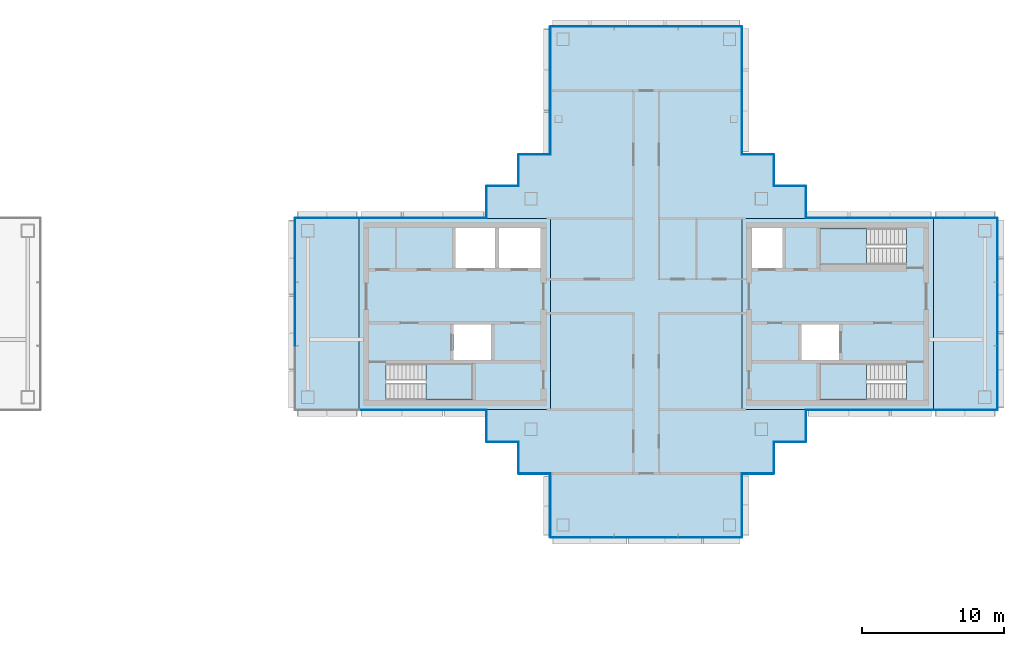
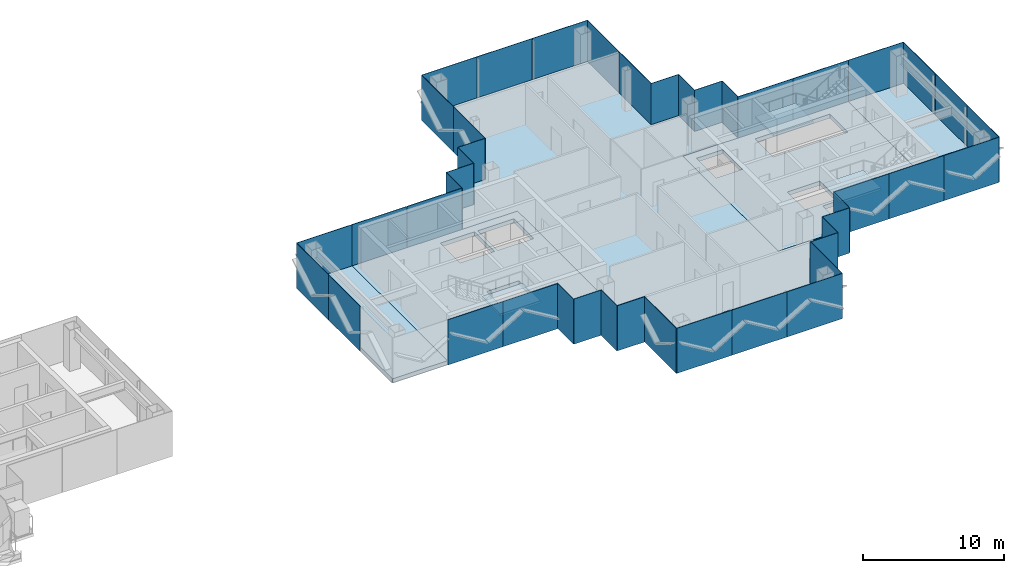
# One storey, part 8 of 17: 44 plates, 8 slabs, 22 elements without a shape of their own.
"""IFC4 building model written with IfcOpenShell, lengths in metres."""

import ifcopenshell
import ifcopenshell.guid

model = None  # the IFC model being written
_history = None  # IfcOwnerHistory: only IFC2X3 demands one
_inside = {}  # id of a spatial element -> (the spatial element, [elements in it])
_under = {}  # id of a project, library or spatial element -> (it, [spatial elements below it])
_declared = {}  # id of a project -> (the project, [libraries it declares])
_typed = {}  # id of a type object -> (the type object, [elements of that type])
_made_of = {}  # id of a material, layer set ... -> (it, [elements and type objects made of it])


def new_model(schema):
    """Start an empty IFC model of exactly this schema.

    Asked for "IFC4X3", IfcOpenShell would pick the latest addendum, in which some entities
    have other attributes; the version numbers below select the first issue.
    IFC2X3 requires an IfcOwnerHistory on every rooted entity: one is made here for all.
    """
    global model, _history
    if schema == "IFC4X3":
        model = ifcopenshell.file(schema_version=(4, 3, 0, 0))
    else:
        model = ifcopenshell.file(schema=schema)
    _inside.clear()
    _under.clear()
    _declared.clear()
    _typed.clear()
    _made_of.clear()
    _history = None
    if model.schema == "IFC2X3":
        org = make("IfcOrganization", Name="unknown")
        user = make(
            "IfcPersonAndOrganization",
            ThePerson=make("IfcPerson", FamilyName="unknown"),
            TheOrganization=org,
        )
        app = make(
            "IfcApplication",
            ApplicationDeveloper=org,
            Version="unknown",
            ApplicationFullName="unknown",
            ApplicationIdentifier="unknown",
        )
        _history = make(
            "IfcOwnerHistory",
            OwningUser=user,
            OwningApplication=app,
            ChangeAction="ADDED",
            CreationDate=0,
        )
    return model


def make(cls, **values):
    """One entity of the class cls with the attributes given. An attribute that is None is left unset."""
    return model.create_entity(
        cls, **{name: value for name, value in values.items() if value is not None}
    )


def rooted(cls, **values):
    """An entity with a GlobalId (a new one), such as an element, a storey or a relation."""
    return make(cls, GlobalId=ifcopenshell.guid.new(), OwnerHistory=_history, **values)


def si_unit(unit_type, name, prefix=None):
    """IfcSIUnit, for example si_unit("LENGTHUNIT", "METRE", prefix="MILLI")."""
    return make("IfcSIUnit", UnitType=unit_type, Prefix=prefix, Name=name)


def assignment(units):
    """IfcUnitAssignment: the units of a project."""
    return None if units is None else make("IfcUnitAssignment", Units=units)


def point(xyz):
    """IfcCartesianPoint."""
    return None if xyz is None else make("IfcCartesianPoint", Coordinates=xyz)


def direction(xyz):
    """IfcDirection."""
    return None if xyz is None else make("IfcDirection", DirectionRatios=xyz)


def frame(location, z_axis=None, x_axis=None):
    """IfcAxis2Placement3D, a coordinate frame: its origin and axes. An axis left out is left unset."""
    return make(
        "IfcAxis2Placement3D",
        Location=point(location),
        Axis=direction(z_axis),
        RefDirection=direction(x_axis),
    )


def frame_2d(location, x_axis=None):
    """IfcAxis2Placement2D, a coordinate frame in the plane: its origin and x axis."""
    return make(
        "IfcAxis2Placement2D", Location=point(location), RefDirection=direction(x_axis)
    )


def origin():
    """The frame at (0, 0, 0) with its axes left unset."""
    return frame((0.0, 0.0, 0.0))


def origin_2d():
    """The frame at (0, 0) in the plane with its x axis left unset."""
    return frame_2d((0.0, 0.0))


def place(relative_to, where):
    """IfcLocalPlacement: puts the frame where relative to a parent placement (None: the world)."""
    return make(
        "IfcLocalPlacement", PlacementRelTo=relative_to, RelativePlacement=where
    )


def context(
    kind, dimensions, precision=None, world=None, true_north=None, identifier=None
):
    """IfcGeometricRepresentationContext, for example the 3D "Model" context."""
    return make(
        "IfcGeometricRepresentationContext",
        ContextIdentifier=identifier,
        ContextType=kind,
        CoordinateSpaceDimension=dimensions,
        Precision=precision,
        WorldCoordinateSystem=world,
        TrueNorth=true_north,
    )


def subcontext(parent, identifier, kind, view, scale=None):
    """IfcGeometricRepresentationSubContext, for example "Body" below "Model"."""
    return make(
        "IfcGeometricRepresentationSubContext",
        ContextIdentifier=identifier,
        ContextType=kind,
        ParentContext=parent,
        TargetScale=scale,
        TargetView=view,
    )


def project(units=None, contexts=None):
    """IfcProject with its units and contexts."""
    return rooted(
        "IfcProject",
        Name="project",
        RepresentationContexts=contexts,
        UnitsInContext=assignment(units),
    )


def spatial(cls, under=None, at=None, **own):
    """A site, building, storey or space (cls), placed at a placement, below another one or the project."""
    s = rooted(cls, ObjectPlacement=at, **own)
    if under is not None:
        _under.setdefault(under.id(), (under, []))[1].append(s)
    return s


def polyline(points):
    """IfcPolyline through the points."""
    return make("IfcPolyline", Points=[point(p) for p in points])


def profile(cls, at=None, kind="AREA", **sizes):
    """A parametric profile (cls). Its sizes go by their IFC names, for example OverallWidth=200.0."""
    return make(cls, ProfileType=kind, Position=at, **sizes)


def rectangle(**sizes):
    """IfcRectangleProfileDef."""
    return profile("IfcRectangleProfileDef", **sizes)


def outline(outer, holes=None, kind="AREA"):
    """IfcArbitraryClosedProfileDef: a profile drawn as a closed curve; with holes, ...WithVoids."""
    if holes is None:
        return make("IfcArbitraryClosedProfileDef", ProfileType=kind, OuterCurve=outer)
    return make(
        "IfcArbitraryProfileDefWithVoids",
        ProfileType=kind,
        OuterCurve=outer,
        InnerCurves=holes,
    )


def extrude(swept, where, along, depth):
    """IfcExtrudedAreaSolid: the profile swept, set in the frame where, extruded along a direction by depth."""
    return make(
        "IfcExtrudedAreaSolid",
        SweptArea=swept,
        Position=where,
        ExtrudedDirection=direction(along),
        Depth=depth,
    )


def shape(context_of_items, identifier, shape_type, items):
    """IfcShapeRepresentation: the items that make up one representation, for example the "Body"."""
    return make(
        "IfcShapeRepresentation",
        ContextOfItems=context_of_items,
        RepresentationIdentifier=identifier,
        RepresentationType=shape_type,
        Items=items,
    )


def material(Name=None, Category=None):
    """IfcMaterial."""
    return make("IfcMaterial", Name=Name, Category=Category)


def layer(
    of_material, thickness, ventilated=None, Name=None, Category=None, Priority=None
):
    """IfcMaterialLayer: one layer of a wall or slab, of a material (None: an air gap)."""
    return make(
        "IfcMaterialLayer",
        Material=of_material,
        LayerThickness=thickness,
        IsVentilated=ventilated,
        Name=Name,
        Category=Category,
        Priority=Priority,
    )


def layer_set(layers, Name=None):
    """IfcMaterialLayerSet."""
    return make("IfcMaterialLayerSet", MaterialLayers=layers, LayerSetName=Name)


def made_of(thing, what):
    """Note that an element or type object is made of a material, layer set ...; save() writes the relation."""
    if what is not None:
        _made_of.setdefault(what.id(), (what, []))[1].append(thing)
    return thing


def type_object(cls, material=None, **own):
    """A type object (cls), such as IfcWallType, which elements share."""
    return made_of(rooted(cls, **own), material)


def element(
    cls,
    number,
    at=None,
    inside=None,
    cuts=None,
    type_object=None,
    material=None,
    context=None,
    identifier="Body",
    shape_type=None,
    held_by="IfcProductDefinitionShape",
    body=None,
    shapes=None,
    **own,
):
    """One element of the class cls, such as IfcWall. Its Tag is "e" and its number.

    at: its placement. inside: the storey or other place that contains it. cuts: it is an
    opening in that element (IfcRelVoidsElement). A single representation is given by context,
    identifier, shape_type and body (its items); several are given by shapes. held_by: the class
    of the entity that holds the representations. save() writes the other relations.
    """
    e = rooted(cls, Tag="e%d" % number, ObjectPlacement=at, **own)
    if body is not None:
        shapes = [shape(context, identifier, shape_type, body)]
    if shapes is not None:
        e.Representation = make(held_by, Representations=shapes)
    if inside is not None:
        _inside.setdefault(inside.id(), (inside, []))[1].append(e)
    if cuts is not None:
        rooted(
            "IfcRelVoidsElement", RelatingBuildingElement=cuts, RelatedOpeningElement=e
        )
    if type_object is not None:
        _typed.setdefault(type_object.id(), (type_object, []))[1].append(e)
    return made_of(e, material)


def aggregate(whole, parts):
    """IfcRelAggregates: a whole, such as a stair, and the parts it consists of."""
    return rooted("IfcRelAggregates", RelatingObject=whole, RelatedObjects=parts)


def save(model, path):
    """Write the relations noted so far, then the file.

    IfcRelAggregates (storeys below a building ...), IfcRelContainedInSpatialStructure (elements
    in a storey), IfcRelDefinesByType, IfcRelAssociatesMaterial and IfcRelDeclares: one each for
    every whole, place, type object, material and project.
    """
    for whole, parts in _under.values():
        aggregate(whole, parts)
    for where, things in _inside.values():
        rooted(
            "IfcRelContainedInSpatialStructure",
            RelatedElements=things,
            RelatingStructure=where,
        )
    for kind, things in _typed.values():
        rooted("IfcRelDefinesByType", RelatedObjects=things, RelatingType=kind)
    for what, things in _made_of.values():
        rooted("IfcRelAssociatesMaterial", RelatedObjects=things, RelatingMaterial=what)
    for by, libraries in _declared.values():
        rooted("IfcRelDeclares", RelatingContext=by, RelatedDefinitions=libraries)
    model.write(path)


model = new_model("IFC4")

# Units and contexts
model_context = context("Model", 3, precision=1e-05, world=origin(), true_north=direction((0.0, 1.0)))
body_context = subcontext(model_context, "Body", "Model", "MODEL_VIEW")
ifc_project = project(units=[si_unit("LENGTHUNIT", "METRE"), si_unit("AREAUNIT", "SQUARE_METRE"), si_unit("VOLUMEUNIT", "CUBIC_METRE"), si_unit("PLANEANGLEUNIT", "RADIAN"), si_unit("MASSUNIT", "GRAM", prefix="KILO")], contexts=[model_context])

# Site, building, storey
site_placement = place(None, origin())
site = spatial("IfcSite", under=ifc_project, at=site_placement, CompositionType="ELEMENT")
building_placement = place(site_placement, origin())
building = spatial("IfcBuilding", under=site, at=building_placement, Name="Shamsa Quay Exchange Towers", CompositionType="ELEMENT")
storey_placement = place(building_placement, frame((0.0, 0.0, 249.89990234375)))
storey = spatial("IfcBuildingStorey", under=building, at=storey_placement, Name="L60", CompositionType="ELEMENT", Elevation=249.89990234375)

# Slabs
ifc_material_1 = material(Name="Concrete C50/60", Category="concrete")
ifc_layer_1 = layer(ifc_material_1, 0.35009765625)
ifc_layer_set_1 = layer_set([ifc_layer_1], Name="CORE FLOOR 350 C50/60")
slab_type_1 = type_object("IfcSlabType", Name="CORE FLOOR 350 C50/60", PredefinedType="FLOOR", material=ifc_layer_set_1)
slab_1_placement = place(storey_placement, frame((0.0, 0.0, -0.349853515625)))
element("IfcSlab", 1, at=slab_1_placement, inside=storey, type_object=slab_type_1, Name="Core floor T2A", PredefinedType="FLOOR", context=body_context, shape_type="SweptSolid", body=[
    extrude(outline(polyline([(13.5, -6.75), (27.0, -6.75), (27.0, 6.75), (13.5, 6.75), (13.5, -6.75)]), holes=[polyline([(15.400634765625, -6.050048828125), (15.400634765625, -3.5), (21.5, -3.5), (21.5, -6.050048828125), (15.400634765625, -6.050048828125)]), polyline([(20.300048828125, 3.25), (20.300048828125, 6.050048828125), (23.10009765625, 6.050048828125), (23.10009765625, 3.25), (20.300048828125, 3.25)]), polyline([(23.35009765625, 3.25), (23.35009765625, 6.050048828125), (26.300048828125, 6.050048828125), (26.300048828125, 3.25), (23.35009765625, 3.25)]), polyline([(20.14990234375, -3.25), (20.14990234375, -0.75), (22.800048828125, -0.75), (22.800048828125, -3.25), (20.14990234375, -3.25)])]), origin(), (0.0, 0.0, 1.0), 0.349853515625),
])
slab_2_placement = place(storey_placement, frame((0.0, 0.0, -0.349853515625)))
element("IfcSlab", 2, at=slab_2_placement, inside=storey, type_object=slab_type_1, Name="Core floor T2B", PredefinedType="FLOOR", context=body_context, shape_type="SweptSolid", body=[
    extrude(outline(polyline([(54.0, -6.75), (54.0, 6.75), (40.5, 6.75), (40.5, -6.75), (54.0, -6.75)]), holes=[polyline([(52.099365234375, -3.5), (52.099365234375, -6.050048828125), (46.0, -6.050048828125), (46.0, -3.5), (52.099365234375, -3.5)]), polyline([(52.099365234375, 6.050048828125), (52.099365234375, 3.5), (46.0, 3.5), (46.0, 6.050048828125), (52.099365234375, 6.050048828125)]), polyline([(43.35009765625, 3.25), (41.199951171875, 3.25), (41.199951171875, 6.050048828125), (43.35009765625, 6.050048828125), (43.35009765625, 3.25)]), polyline([(47.35009765625, -3.25), (44.699951171875, -3.25), (44.699951171875, -0.75), (47.35009765625, -0.75), (47.35009765625, -3.25)])]), origin(), (0.0, 0.0, 1.0), 0.349853515625),
])

# Stair, slab
ifc_material_2 = material(Name="Concrete C40/50", Category="concrete")
stair_type = type_object("IfcStairType", Name="EXIT STAIR 22 RISERS 177 MM", PredefinedType="HALF_TURN_STAIR", material=ifc_material_2)
stair_1_placement = place(storey_placement, origin())
stair_1 = element("IfcStair", 3, at=stair_1_placement, inside=storey, type_object=stair_type, Name="L60 Exit stair ST4", PredefinedType="HALF_TURN_STAIR")
ifc_layer_2 = layer(ifc_material_2, 0.199951171875)
ifc_layer_set_2 = layer_set([ifc_layer_2], Name="CORE STAIR LANDING")
slab_type_2 = type_object("IfcSlabType", Name="CORE STAIR LANDING", PredefinedType="LANDING", material=ifc_layer_set_2)
slab_3_placement = place(storey_placement, frame((0.0, 0.0, 1.75)))
slab_3 = element("IfcSlab", 4, at=slab_3_placement, type_object=slab_type_2, Name="ST4 landing 1", PredefinedType="LANDING", context=body_context, shape_type="SweptSolid", body=[
    extrude(outline(polyline([(18.199951171875, -6.050048828125), (21.5, -6.050048828125), (21.5, -3.5), (18.199951171875, -3.5), (18.199951171875, -6.050048828125)])), origin(), (0.0, 0.0, 1.0), 0.2001953125),
])
aggregate(stair_1, [slab_3])

stair_2_placement = place(storey_placement, origin())
stair_2 = element("IfcStair", 5, at=stair_2_placement, inside=storey, type_object=stair_type, Name="L60 Exit stair ST5", PredefinedType="HALF_TURN_STAIR")
slab_4_placement = place(storey_placement, frame((0.0, 0.0, 1.75)))
slab_4 = element("IfcSlab", 6, at=slab_4_placement, type_object=slab_type_2, Name="ST5 landing 1", PredefinedType="LANDING", context=body_context, shape_type="SweptSolid", body=[
    extrude(outline(polyline([(49.300048828125, -3.5), (46.0, -3.5), (46.0, -6.050048828125), (49.300048828125, -6.050048828125), (49.300048828125, -3.5)])), origin(), (0.0, 0.0, 1.0), 0.2001953125),
])
aggregate(stair_2, [slab_4])

stair_3_placement = place(storey_placement, origin())
stair_3 = element("IfcStair", 7, at=stair_3_placement, inside=storey, type_object=stair_type, Name="L60 Exit stair ST6", PredefinedType="HALF_TURN_STAIR")
slab_5_placement = place(storey_placement, frame((0.0, 0.0, 1.75)))
slab_5 = element("IfcSlab", 8, at=slab_5_placement, type_object=slab_type_2, Name="ST6 landing 1", PredefinedType="LANDING", context=body_context, shape_type="SweptSolid", body=[
    extrude(outline(polyline([(49.300048828125, 6.050048828125), (46.0, 6.050048828125), (46.0, 3.5), (49.300048828125, 3.5), (49.300048828125, 6.050048828125)])), origin(), (0.0, 0.0, 1.0), 0.2001953125),
])
aggregate(stair_3, [slab_5])

# Curtain wall, plate
ifc_material_3 = material(Name="Aluminium EN AW-6063 T6, black anodised", Category="aluminium")
ifc_layer_3 = layer(ifc_material_3, 0.280029296875)
ifc_layer_set_3 = layer_set([ifc_layer_3], Name="CW-1 UNITISED VISION GLASS")
curtain_wall_type_1 = type_object("IfcCurtainWallType", Name="CW-1 UNITISED VISION GLASS", PredefinedType="NOTDEFINED", material=ifc_layer_set_3)
curtain_wall_1_placement = place(storey_placement, origin())
curtain_wall_1 = element("IfcCurtainWall", 9, at=curtain_wall_1_placement, inside=storey, type_object=curtain_wall_type_1, Name="CW1 T2-FLK-V-W L60", PredefinedType="NOTDEFINED")
ifc_material_4 = material(Name="Glass, laminated, dark tinted", Category="glass")
ifc_layer_4 = layer(ifc_material_4, 0.0400390625)
ifc_layer_set_4 = layer_set([ifc_layer_4], Name="CW-1 VISION GLASS 40")
plate_type_1 = type_object("IfcPlateType", Name="CW-1 VISION GLASS 40", PredefinedType="CURTAIN_PANEL", material=ifc_layer_set_4)
plate_1_placement = place(storey_placement, frame((56.25, -6.77001953125, -0.349853515625)))
plate_1 = element("IfcPlate", 10, at=plate_1_placement, type_object=plate_type_1, Name="CW1 glass panel", PredefinedType="CURTAIN_PANEL", context=body_context, shape_type="SweptSolid", body=[
    extrude(rectangle(XDim=4.5, YDim=0.0400390625, at=origin_2d()), origin(), (0.0, 0.0, 1.0), 3.89990234375),
])
aggregate(curtain_wall_1, [plate_1])

# Curtain wall, plates
curtain_wall_2_placement = place(storey_placement, origin())
curtain_wall_2 = element("IfcCurtainWall", 11, at=curtain_wall_2_placement, inside=storey, type_object=curtain_wall_type_1, Name="CW1 T2-END-V- L60", PredefinedType="NOTDEFINED")
plate_2_placement = place(storey_placement, frame((58.52001953125, -4.50244140625, -0.349853515625), z_axis=(0.0, 0.0, 1.0), x_axis=(0.0, 1.0, 0.0)))
plate_2 = element("IfcPlate", 12, at=plate_2_placement, type_object=plate_type_1, Name="CW1 glass panel", PredefinedType="CURTAIN_PANEL", context=body_context, shape_type="SweptSolid", body=[
    extrude(rectangle(XDim=4.4951171875, YDim=0.0400390625, at=origin_2d()), origin(), (0.0, 0.0, 1.0), 3.89990234375),
])
plate_3_placement = place(storey_placement, frame((58.52001953125, 0.0, -0.349853515625), z_axis=(0.0, 0.0, 1.0), x_axis=(0.0, 1.0, 0.0)))
plate_3 = element("IfcPlate", 13, at=plate_3_placement, type_object=plate_type_1, Name="CW1 glass panel", PredefinedType="CURTAIN_PANEL", context=body_context, shape_type="SweptSolid", body=[
    extrude(rectangle(XDim=4.489990234375, YDim=0.0400390625, at=origin_2d()), origin(), (0.0, 0.0, 1.0), 3.89990234375),
])
plate_4_placement = place(storey_placement, frame((58.52001953125, 4.50244140625, -0.349853515625), z_axis=(0.0, 0.0, 1.0), x_axis=(0.0, 1.0, 0.0)))
plate_4 = element("IfcPlate", 14, at=plate_4_placement, type_object=plate_type_1, Name="CW1 glass panel", PredefinedType="CURTAIN_PANEL", context=body_context, shape_type="SweptSolid", body=[
    extrude(rectangle(XDim=4.4951171875, YDim=0.0400390625, at=origin_2d()), origin(), (0.0, 0.0, 1.0), 3.89990234375),
])
aggregate(curtain_wall_2, [plate_2, plate_3, plate_4])

# Curtain wall, plate
curtain_wall_3_placement = place(storey_placement, origin())
curtain_wall_3 = element("IfcCurtainWall", 15, at=curtain_wall_3_placement, inside=storey, type_object=curtain_wall_type_1, Name="CW1 T2-FLK-V-E L60", PredefinedType="NOTDEFINED")
plate_5_placement = place(storey_placement, frame((56.25, 6.77001953125, -0.349853515625), z_axis=(0.0, 0.0, 1.0), x_axis=(-1.0, 0.0, 0.0)))
plate_5 = element("IfcPlate", 16, at=plate_5_placement, type_object=plate_type_1, Name="CW1 glass panel", PredefinedType="CURTAIN_PANEL", context=body_context, shape_type="SweptSolid", body=[
    extrude(rectangle(XDim=4.5, YDim=0.0400390625, at=origin_2d()), origin(), (0.0, 0.0, 1.0), 3.89990234375),
])
aggregate(curtain_wall_3, [plate_5])

# Curtain wall, plates
curtain_wall_4_placement = place(storey_placement, origin())
curtain_wall_4 = element("IfcCurtainWall", 17, at=curtain_wall_4_placement, inside=storey, type_object=curtain_wall_type_1, Name="CW1 T2-FLK-U+S L60", PredefinedType="NOTDEFINED")
plate_6_placement = place(storey_placement, frame((40.52001953125, 13.52587890625, -0.349853515625), z_axis=(0.0, 0.0, 1.0), x_axis=(0.0, 1.0, 0.0)))
plate_6 = element("IfcPlate", 18, at=plate_6_placement, type_object=plate_type_1, Name="CW1 glass panel", PredefinedType="CURTAIN_PANEL", context=body_context, shape_type="SweptSolid", body=[
    extrude(rectangle(XDim=4.47607421875, YDim=0.0400390625, at=origin_2d()), origin(), (0.0, 0.0, 1.0), 3.89990234375),
])
plate_7_placement = place(storey_placement, frame((40.52001953125, 18.011962890625, -0.349853515625), z_axis=(0.0, 0.0, 1.0), x_axis=(0.0, 1.0, 0.0)))
plate_7 = element("IfcPlate", 19, at=plate_7_placement, type_object=plate_type_1, Name="CW1 glass panel", PredefinedType="CURTAIN_PANEL", context=body_context, shape_type="SweptSolid", body=[
    extrude(rectangle(XDim=4.47607421875, YDim=0.0400390625, at=origin_2d()), origin(), (0.0, 0.0, 1.0), 3.89990234375),
])
aggregate(curtain_wall_4, [plate_6, plate_7])

curtain_wall_5_placement = place(storey_placement, origin())
curtain_wall_5 = element("IfcCurtainWall", 20, at=curtain_wall_5_placement, inside=storey, type_object=curtain_wall_type_1, Name="CW1 T2-END-U+ L60", PredefinedType="NOTDEFINED")
plate_8_placement = place(storey_placement, frame((38.25244140625, 20.27001953125, -0.349853515625), z_axis=(0.0, 0.0, 1.0), x_axis=(-1.0, 0.0, 0.0)))
plate_8 = element("IfcPlate", 21, at=plate_8_placement, type_object=plate_type_1, Name="CW1 glass panel", PredefinedType="CURTAIN_PANEL", context=body_context, shape_type="SweptSolid", body=[
    extrude(rectangle(XDim=4.4951171875, YDim=0.0400390625, at=origin_2d()), origin(), (0.0, 0.0, 1.0), 3.89990234375),
])
plate_9_placement = place(storey_placement, frame((33.75, 20.27001953125, -0.349853515625), z_axis=(0.0, 0.0, 1.0), x_axis=(-1.0, 0.0, 0.0)))
plate_9 = element("IfcPlate", 22, at=plate_9_placement, type_object=plate_type_1, Name="CW1 glass panel", PredefinedType="CURTAIN_PANEL", context=body_context, shape_type="SweptSolid", body=[
    extrude(rectangle(XDim=4.489990234375, YDim=0.0400390625, at=origin_2d()), origin(), (0.0, 0.0, 1.0), 3.89990234375),
])
plate_10_placement = place(storey_placement, frame((29.24755859375, 20.27001953125, -0.349853515625), z_axis=(0.0, 0.0, 1.0), x_axis=(-1.0, 0.0, 0.0)))
plate_10 = element("IfcPlate", 23, at=plate_10_placement, type_object=plate_type_1, Name="CW1 glass panel", PredefinedType="CURTAIN_PANEL", context=body_context, shape_type="SweptSolid", body=[
    extrude(rectangle(XDim=4.4951171875, YDim=0.0400390625, at=origin_2d()), origin(), (0.0, 0.0, 1.0), 3.89990234375),
])
aggregate(curtain_wall_5, [plate_8, plate_9, plate_10])

curtain_wall_6_placement = place(storey_placement, origin())
curtain_wall_6 = element("IfcCurtainWall", 24, at=curtain_wall_6_placement, inside=storey, type_object=curtain_wall_type_1, Name="CW1 T2-FLK-U+N L60", PredefinedType="NOTDEFINED")
plate_11_placement = place(storey_placement, frame((26.97998046875, 18.00244140625, -0.349853515625), z_axis=(0.0, 0.0, 1.0), x_axis=(0.0, -1.0, 0.0)))
plate_11 = element("IfcPlate", 25, at=plate_11_placement, type_object=plate_type_1, Name="CW1 glass panel", PredefinedType="CURTAIN_PANEL", context=body_context, shape_type="SweptSolid", body=[
    extrude(rectangle(XDim=4.4951171875, YDim=0.0400390625, at=origin_2d()), origin(), (0.0, 0.0, 1.0), 3.89990234375),
])
plate_12_placement = place(storey_placement, frame((26.97998046875, 13.49755859375, -0.349853515625), z_axis=(0.0, 0.0, 1.0), x_axis=(0.0, -1.0, 0.0)))
plate_12 = element("IfcPlate", 26, at=plate_12_placement, type_object=plate_type_1, Name="CW1 glass panel", PredefinedType="CURTAIN_PANEL", context=body_context, shape_type="SweptSolid", body=[
    extrude(rectangle(XDim=4.4951171875, YDim=0.0400390625, at=origin_2d()), origin(), (0.0, 0.0, 1.0), 3.89990234375),
])
aggregate(curtain_wall_6, [plate_11, plate_12])

# Curtain wall, plate
curtain_wall_7_placement = place(storey_placement, origin())
curtain_wall_7 = element("IfcCurtainWall", 27, at=curtain_wall_7_placement, inside=storey, type_object=curtain_wall_type_1, Name="CW1 T2-FLK-V+E L60", PredefinedType="NOTDEFINED")
plate_13_placement = place(storey_placement, frame((11.25, 6.77001953125, -0.349853515625), z_axis=(0.0, 0.0, 1.0), x_axis=(-1.0, 0.0, 0.0)))
plate_13 = element("IfcPlate", 28, at=plate_13_placement, type_object=plate_type_1, Name="CW1 glass panel", PredefinedType="CURTAIN_PANEL", context=body_context, shape_type="SweptSolid", body=[
    extrude(rectangle(XDim=4.5, YDim=0.0400390625, at=origin_2d()), origin(), (0.0, 0.0, 1.0), 3.89990234375),
])
aggregate(curtain_wall_7, [plate_13])

# Curtain wall, plates
curtain_wall_8_placement = place(storey_placement, origin())
curtain_wall_8 = element("IfcCurtainWall", 29, at=curtain_wall_8_placement, inside=storey, type_object=curtain_wall_type_1, Name="CW1 T2-END-V+ L60", PredefinedType="NOTDEFINED")
plate_14_placement = place(storey_placement, frame((8.97998046875, 4.50244140625, -0.349853515625), z_axis=(0.0, 0.0, 1.0), x_axis=(0.0, -1.0, 0.0)))
plate_14 = element("IfcPlate", 30, at=plate_14_placement, type_object=plate_type_1, Name="CW1 glass panel", PredefinedType="CURTAIN_PANEL", context=body_context, shape_type="SweptSolid", body=[
    extrude(rectangle(XDim=4.4951171875, YDim=0.0400390625, at=origin_2d()), origin(), (0.0, 0.0, 1.0), 3.89990234375),
])
plate_15_placement = place(storey_placement, frame((8.97998046875, 0.0, -0.349853515625), z_axis=(0.0, 0.0, 1.0), x_axis=(0.0, -1.0, 0.0)))
plate_15 = element("IfcPlate", 31, at=plate_15_placement, type_object=plate_type_1, Name="CW1 glass panel", PredefinedType="CURTAIN_PANEL", context=body_context, shape_type="SweptSolid", body=[
    extrude(rectangle(XDim=4.489990234375, YDim=0.0400390625, at=origin_2d()), origin(), (0.0, 0.0, 1.0), 3.89990234375),
])
aggregate(curtain_wall_8, [plate_14, plate_15])

# Curtain wall, plate
curtain_wall_9_placement = place(storey_placement, origin())
curtain_wall_9 = element("IfcCurtainWall", 32, at=curtain_wall_9_placement, inside=storey, type_object=curtain_wall_type_1, Name="CW1 T2-FLK-U-N L60", PredefinedType="NOTDEFINED")
plate_16_placement = place(storey_placement, frame((26.97998046875, -13.51904296875, -0.349853515625), z_axis=(0.0, 0.0, 1.0), x_axis=(0.0, -1.0, 0.0)))
plate_16 = element("IfcPlate", 33, at=plate_16_placement, type_object=plate_type_1, Name="CW1 glass panel", PredefinedType="CURTAIN_PANEL", context=body_context, shape_type="SweptSolid", body=[
    extrude(rectangle(XDim=4.4619140625, YDim=0.0400390625, at=origin_2d()), origin(), (0.0, 0.0, 1.0), 3.89990234375),
])
aggregate(curtain_wall_9, [plate_16])

# Curtain wall, plates
curtain_wall_10_placement = place(storey_placement, origin())
curtain_wall_10 = element("IfcCurtainWall", 34, at=curtain_wall_10_placement, inside=storey, type_object=curtain_wall_type_1, Name="CW1 T2-END-U- L60", PredefinedType="NOTDEFINED")
plate_17_placement = place(storey_placement, frame((29.24755859375, -15.77001953125, -0.349853515625)))
plate_17 = element("IfcPlate", 35, at=plate_17_placement, type_object=plate_type_1, Name="CW1 glass panel", PredefinedType="CURTAIN_PANEL", context=body_context, shape_type="SweptSolid", body=[
    extrude(rectangle(XDim=4.4951171875, YDim=0.0400390625, at=origin_2d()), origin(), (0.0, 0.0, 1.0), 3.89990234375),
])
plate_18_placement = place(storey_placement, frame((33.75, -15.77001953125, -0.349853515625)))
plate_18 = element("IfcPlate", 36, at=plate_18_placement, type_object=plate_type_1, Name="CW1 glass panel", PredefinedType="CURTAIN_PANEL", context=body_context, shape_type="SweptSolid", body=[
    extrude(rectangle(XDim=4.489990234375, YDim=0.0400390625, at=origin_2d()), origin(), (0.0, 0.0, 1.0), 3.89990234375),
])
plate_19_placement = place(storey_placement, frame((38.25244140625, -15.77001953125, -0.349853515625)))
plate_19 = element("IfcPlate", 37, at=plate_19_placement, type_object=plate_type_1, Name="CW1 glass panel", PredefinedType="CURTAIN_PANEL", context=body_context, shape_type="SweptSolid", body=[
    extrude(rectangle(XDim=4.4951171875, YDim=0.0400390625, at=origin_2d()), origin(), (0.0, 0.0, 1.0), 3.89990234375),
])
aggregate(curtain_wall_10, [plate_17, plate_18, plate_19])

# Curtain wall, plate
curtain_wall_11_placement = place(storey_placement, origin())
curtain_wall_11 = element("IfcCurtainWall", 38, at=curtain_wall_11_placement, inside=storey, type_object=curtain_wall_type_1, Name="CW1 T2-FLK-U-S L60", PredefinedType="NOTDEFINED")
plate_20_placement = place(storey_placement, frame((40.52001953125, -13.5, -0.349853515625), z_axis=(0.0, 0.0, 1.0), x_axis=(0.0, 1.0, 0.0)))
plate_20 = element("IfcPlate", 39, at=plate_20_placement, type_object=plate_type_1, Name="CW1 glass panel", PredefinedType="CURTAIN_PANEL", context=body_context, shape_type="SweptSolid", body=[
    extrude(rectangle(XDim=4.5, YDim=0.0400390625, at=origin_2d()), origin(), (0.0, 0.0, 1.0), 3.89990234375),
])
aggregate(curtain_wall_11, [plate_20])

# Curtain wall, plates
ifc_layer_5 = layer(ifc_material_3, 0.303955078125)
ifc_layer_set_5 = layer_set([ifc_layer_5], Name="CW-2 UNITISED OPAQUE SPANDREL GLASS")
curtain_wall_type_2 = type_object("IfcCurtainWallType", Name="CW-2 UNITISED OPAQUE SPANDREL GLASS", PredefinedType="NOTDEFINED", material=ifc_layer_set_5)
curtain_wall_12_placement = place(storey_placement, origin())
curtain_wall_12 = element("IfcCurtainWall", 40, at=curtain_wall_12_placement, inside=storey, type_object=curtain_wall_type_2, Name="CW2 T2-FLK-V-W L60", PredefinedType="NOTDEFINED")
ifc_material_5 = material(Name="Glass, laminated, black enamelled opaque", Category="glass")
ifc_layer_6 = layer(ifc_material_5, 0.0439453125)
ifc_layer_set_6 = layer_set([ifc_layer_6], Name="CW-2 SPANDREL GLASS 44")
plate_type_2 = type_object("IfcPlateType", Name="CW-2 SPANDREL GLASS 44", PredefinedType="CURTAIN_PANEL", material=ifc_layer_set_6)
plate_21_placement = place(storey_placement, frame((47.27587890625, -6.77197265625, -0.349853515625)))
plate_21 = element("IfcPlate", 41, at=plate_21_placement, type_object=plate_type_2, Name="CW2 glass panel", PredefinedType="CURTAIN_PANEL", context=body_context, shape_type="SweptSolid", body=[
    extrude(rectangle(XDim=4.47607421875, YDim=0.0439453125, at=origin_2d()), origin(), (0.0, 0.0, 1.0), 3.89990234375),
])
plate_22_placement = place(storey_placement, frame((51.761962890625, -6.77197265625, -0.349853515625)))
plate_22 = element("IfcPlate", 42, at=plate_22_placement, type_object=plate_type_2, Name="CW2 glass panel", PredefinedType="CURTAIN_PANEL", context=body_context, shape_type="SweptSolid", body=[
    extrude(rectangle(XDim=4.47607421875, YDim=0.0439453125, at=origin_2d()), origin(), (0.0, 0.0, 1.0), 3.89990234375),
])
aggregate(curtain_wall_12, [plate_21, plate_22])

curtain_wall_13_placement = place(storey_placement, origin())
curtain_wall_13 = element("IfcCurtainWall", 43, at=curtain_wall_13_placement, inside=storey, type_object=curtain_wall_type_2, Name="CW2 T2-FLK-V-E L60", PredefinedType="NOTDEFINED")
plate_23_placement = place(storey_placement, frame((51.75244140625, 6.77197265625, -0.349853515625), z_axis=(0.0, 0.0, 1.0), x_axis=(-1.0, 0.0, 0.0)))
plate_23 = element("IfcPlate", 44, at=plate_23_placement, type_object=plate_type_2, Name="CW2 glass panel", PredefinedType="CURTAIN_PANEL", context=body_context, shape_type="SweptSolid", body=[
    extrude(rectangle(XDim=4.4951171875, YDim=0.0439453125, at=origin_2d()), origin(), (0.0, 0.0, 1.0), 3.89990234375),
])
plate_24_placement = place(storey_placement, frame((47.24755859375, 6.77197265625, -0.349853515625), z_axis=(0.0, 0.0, 1.0), x_axis=(-1.0, 0.0, 0.0)))
plate_24 = element("IfcPlate", 45, at=plate_24_placement, type_object=plate_type_2, Name="CW2 glass panel", PredefinedType="CURTAIN_PANEL", context=body_context, shape_type="SweptSolid", body=[
    extrude(rectangle(XDim=4.4951171875, YDim=0.0439453125, at=origin_2d()), origin(), (0.0, 0.0, 1.0), 3.89990234375),
])
aggregate(curtain_wall_13, [plate_23, plate_24])

curtain_wall_14_placement = place(storey_placement, origin())
curtain_wall_14 = element("IfcCurtainWall", 46, at=curtain_wall_14_placement, inside=storey, type_object=curtain_wall_type_2, Name="CW2 T2-FLK-V+E L60", PredefinedType="NOTDEFINED")
plate_25_placement = place(storey_placement, frame((20.22412109375, 6.77197265625, -0.349853515625), z_axis=(0.0, 0.0, 1.0), x_axis=(-1.0, 0.0, 0.0)))
plate_25 = element("IfcPlate", 47, at=plate_25_placement, type_object=plate_type_2, Name="CW2 glass panel", PredefinedType="CURTAIN_PANEL", context=body_context, shape_type="SweptSolid", body=[
    extrude(rectangle(XDim=4.47607421875, YDim=0.0439453125, at=origin_2d()), origin(), (0.0, 0.0, 1.0), 3.89990234375),
])
plate_26_placement = place(storey_placement, frame((15.738037109375, 6.77197265625, -0.349853515625), z_axis=(0.0, 0.0, 1.0), x_axis=(-1.0, 0.0, 0.0)))
plate_26 = element("IfcPlate", 48, at=plate_26_placement, type_object=plate_type_2, Name="CW2 glass panel", PredefinedType="CURTAIN_PANEL", context=body_context, shape_type="SweptSolid", body=[
    extrude(rectangle(XDim=4.47607421875, YDim=0.0439453125, at=origin_2d()), origin(), (0.0, 0.0, 1.0), 3.89990234375),
])
aggregate(curtain_wall_14, [plate_25, plate_26])

curtain_wall_15_placement = place(storey_placement, origin())
curtain_wall_15 = element("IfcCurtainWall", 49, at=curtain_wall_15_placement, inside=storey, type_object=curtain_wall_type_2, Name="CW2 T2-FLK-V+W L60", PredefinedType="NOTDEFINED")
plate_27_placement = place(storey_placement, frame((15.74755859375, -6.77197265625, -0.349853515625)))
plate_27 = element("IfcPlate", 50, at=plate_27_placement, type_object=plate_type_2, Name="CW2 glass panel", PredefinedType="CURTAIN_PANEL", context=body_context, shape_type="SweptSolid", body=[
    extrude(rectangle(XDim=4.4951171875, YDim=0.0439453125, at=origin_2d()), origin(), (0.0, 0.0, 1.0), 3.89990234375),
])
plate_28_placement = place(storey_placement, frame((20.25244140625, -6.77197265625, -0.349853515625)))
plate_28 = element("IfcPlate", 51, at=plate_28_placement, type_object=plate_type_2, Name="CW2 glass panel", PredefinedType="CURTAIN_PANEL", context=body_context, shape_type="SweptSolid", body=[
    extrude(rectangle(XDim=4.4951171875, YDim=0.0439453125, at=origin_2d()), origin(), (0.0, 0.0, 1.0), 3.89990234375),
])
aggregate(curtain_wall_15, [plate_27, plate_28])

ifc_layer_7 = layer(ifc_material_3, 0.256103515625)
ifc_layer_set_7 = layer_set([ifc_layer_7], Name="CW-4 POCKET SERRATED GLAZING")
curtain_wall_type_3 = type_object("IfcCurtainWallType", Name="CW-4 POCKET SERRATED GLAZING", PredefinedType="NOTDEFINED", material=ifc_layer_set_7)
curtain_wall_16_placement = place(storey_placement, origin())
curtain_wall_16 = element("IfcCurtainWall", 52, at=curtain_wall_16_placement, inside=storey, type_object=curtain_wall_type_3, Name="CW4 PKWS L60", PredefinedType="NOTDEFINED")
ifc_layer_8 = layer(ifc_material_4, 0.035888671875)
ifc_layer_set_8 = layer_set([ifc_layer_8], Name="CW-4 POCKET GLASS 36")
plate_type_3 = type_object("IfcPlateType", Name="CW-4 POCKET GLASS 36", PredefinedType="CURTAIN_PANEL", material=ifc_layer_set_8)
plate_29_placement = place(storey_placement, frame((43.89404296875, -9.01806640625, -0.349853515625)))
plate_29 = element("IfcPlate", 53, at=plate_29_placement, type_object=plate_type_3, Name="CW4 glass panel", PredefinedType="CURTAIN_PANEL", context=body_context, shape_type="SweptSolid", body=[
    extrude(rectangle(XDim=2.2119140625, YDim=0.035888671875, at=origin_2d()), origin(), (0.0, 0.0, 1.0), 3.89990234375),
])
plate_30_placement = place(storey_placement, frame((45.01806640625, -7.875, -0.349853515625), z_axis=(0.0, 0.0, 1.0), x_axis=(0.0, 1.0, 0.0)))
plate_30 = element("IfcPlate", 54, at=plate_30_placement, type_object=plate_type_3, Name="CW4 glass panel", PredefinedType="CURTAIN_PANEL", context=body_context, shape_type="SweptSolid", body=[
    extrude(rectangle(XDim=2.25, YDim=0.035888671875, at=origin_2d()), origin(), (0.0, 0.0, 1.0), 3.89990234375),
])
plate_31_placement = place(storey_placement, frame((41.64599609375, -11.26806640625, -0.349853515625)))
plate_31 = element("IfcPlate", 55, at=plate_31_placement, type_object=plate_type_3, Name="CW4 glass panel", PredefinedType="CURTAIN_PANEL", context=body_context, shape_type="SweptSolid", body=[
    extrude(rectangle(XDim=2.2080078125, YDim=0.035888671875, at=origin_2d()), origin(), (0.0, 0.0, 1.0), 3.89990234375),
])
plate_32_placement = place(storey_placement, frame((42.76806640625, -10.125, -0.349853515625), z_axis=(0.0, 0.0, 1.0), x_axis=(0.0, 1.0, 0.0)))
plate_32 = element("IfcPlate", 56, at=plate_32_placement, type_object=plate_type_3, Name="CW4 glass panel", PredefinedType="CURTAIN_PANEL", context=body_context, shape_type="SweptSolid", body=[
    extrude(rectangle(XDim=2.25, YDim=0.035888671875, at=origin_2d()), origin(), (0.0, 0.0, 1.0), 3.89990234375),
])
aggregate(curtain_wall_16, [plate_29, plate_30, plate_31, plate_32])

curtain_wall_17_placement = place(storey_placement, origin())
curtain_wall_17 = element("IfcCurtainWall", 57, at=curtain_wall_17_placement, inside=storey, type_object=curtain_wall_type_3, Name="CW4 PKES L60", PredefinedType="NOTDEFINED")
plate_33_placement = place(storey_placement, frame((45.01806640625, 7.89794921875, -0.349853515625), z_axis=(0.0, 0.0, 1.0), x_axis=(0.0, 1.0, 0.0)))
plate_33 = element("IfcPlate", 58, at=plate_33_placement, type_object=plate_type_3, Name="CW4 glass panel", PredefinedType="CURTAIN_PANEL", context=body_context, shape_type="SweptSolid", body=[
    extrude(rectangle(XDim=2.2041015625, YDim=0.035888671875, at=origin_2d()), origin(), (0.0, 0.0, 1.0), 3.89990234375),
])
plate_34_placement = place(storey_placement, frame((43.875, 9.01806640625, -0.349853515625), z_axis=(0.0, 0.0, 1.0), x_axis=(-1.0, 0.0, 0.0)))
plate_34 = element("IfcPlate", 59, at=plate_34_placement, type_object=plate_type_3, Name="CW4 glass panel", PredefinedType="CURTAIN_PANEL", context=body_context, shape_type="SweptSolid", body=[
    extrude(rectangle(XDim=2.25, YDim=0.035888671875, at=origin_2d()), origin(), (0.0, 0.0, 1.0), 3.89990234375),
])
plate_35_placement = place(storey_placement, frame((42.76806640625, 10.14404296875, -0.349853515625), z_axis=(0.0, 0.0, 1.0), x_axis=(0.0, 1.0, 0.0)))
plate_35 = element("IfcPlate", 60, at=plate_35_placement, type_object=plate_type_3, Name="CW4 glass panel", PredefinedType="CURTAIN_PANEL", context=body_context, shape_type="SweptSolid", body=[
    extrude(rectangle(XDim=2.2119140625, YDim=0.035888671875, at=origin_2d()), origin(), (0.0, 0.0, 1.0), 3.89990234375),
])
plate_36_placement = place(storey_placement, frame((41.625, 11.26806640625, -0.349853515625), z_axis=(0.0, 0.0, 1.0), x_axis=(-1.0, 0.0, 0.0)))
plate_36 = element("IfcPlate", 61, at=plate_36_placement, type_object=plate_type_3, Name="CW4 glass panel", PredefinedType="CURTAIN_PANEL", context=body_context, shape_type="SweptSolid", body=[
    extrude(rectangle(XDim=2.25, YDim=0.035888671875, at=origin_2d()), origin(), (0.0, 0.0, 1.0), 3.89990234375),
])
aggregate(curtain_wall_17, [plate_33, plate_34, plate_35, plate_36])

curtain_wall_18_placement = place(storey_placement, origin())
curtain_wall_18 = element("IfcCurtainWall", 62, at=curtain_wall_18_placement, inside=storey, type_object=curtain_wall_type_3, Name="CW4 PKEN L60", PredefinedType="NOTDEFINED")
plate_37_placement = place(storey_placement, frame((25.85400390625, 11.26806640625, -0.349853515625), z_axis=(0.0, 0.0, 1.0), x_axis=(-1.0, 0.0, 0.0)))
plate_37 = element("IfcPlate", 63, at=plate_37_placement, type_object=plate_type_3, Name="CW4 glass panel", PredefinedType="CURTAIN_PANEL", context=body_context, shape_type="SweptSolid", body=[
    extrude(rectangle(XDim=2.2080078125, YDim=0.035888671875, at=origin_2d()), origin(), (0.0, 0.0, 1.0), 3.89990234375),
])
plate_38_placement = place(storey_placement, frame((24.73193359375, 10.125, -0.349853515625), z_axis=(0.0, 0.0, 1.0), x_axis=(0.0, -1.0, 0.0)))
plate_38 = element("IfcPlate", 64, at=plate_38_placement, type_object=plate_type_3, Name="CW4 glass panel", PredefinedType="CURTAIN_PANEL", context=body_context, shape_type="SweptSolid", body=[
    extrude(rectangle(XDim=2.25, YDim=0.035888671875, at=origin_2d()), origin(), (0.0, 0.0, 1.0), 3.89990234375),
])
plate_39_placement = place(storey_placement, frame((23.60595703125, 9.01806640625, -0.349853515625), z_axis=(0.0, 0.0, 1.0), x_axis=(-1.0, 0.0, 0.0)))
plate_39 = element("IfcPlate", 65, at=plate_39_placement, type_object=plate_type_3, Name="CW4 glass panel", PredefinedType="CURTAIN_PANEL", context=body_context, shape_type="SweptSolid", body=[
    extrude(rectangle(XDim=2.2119140625, YDim=0.035888671875, at=origin_2d()), origin(), (0.0, 0.0, 1.0), 3.89990234375),
])
plate_40_placement = place(storey_placement, frame((22.48193359375, 7.875, -0.349853515625), z_axis=(0.0, 0.0, 1.0), x_axis=(0.0, -1.0, 0.0)))
plate_40 = element("IfcPlate", 66, at=plate_40_placement, type_object=plate_type_3, Name="CW4 glass panel", PredefinedType="CURTAIN_PANEL", context=body_context, shape_type="SweptSolid", body=[
    extrude(rectangle(XDim=2.25, YDim=0.035888671875, at=origin_2d()), origin(), (0.0, 0.0, 1.0), 3.89990234375),
])
aggregate(curtain_wall_18, [plate_37, plate_38, plate_39, plate_40])

curtain_wall_19_placement = place(storey_placement, origin())
curtain_wall_19 = element("IfcCurtainWall", 67, at=curtain_wall_19_placement, inside=storey, type_object=curtain_wall_type_3, Name="CW4 PKWN L60", PredefinedType="NOTDEFINED")
plate_41_placement = place(storey_placement, frame((22.48193359375, -7.89794921875, -0.349853515625), z_axis=(0.0, 0.0, 1.0), x_axis=(0.0, -1.0, 0.0)))
plate_41 = element("IfcPlate", 68, at=plate_41_placement, type_object=plate_type_3, Name="CW4 glass panel", PredefinedType="CURTAIN_PANEL", context=body_context, shape_type="SweptSolid", body=[
    extrude(rectangle(XDim=2.2041015625, YDim=0.035888671875, at=origin_2d()), origin(), (0.0, 0.0, 1.0), 3.89990234375),
])
plate_42_placement = place(storey_placement, frame((23.625, -9.01806640625, -0.349853515625)))
plate_42 = element("IfcPlate", 69, at=plate_42_placement, type_object=plate_type_3, Name="CW4 glass panel", PredefinedType="CURTAIN_PANEL", context=body_context, shape_type="SweptSolid", body=[
    extrude(rectangle(XDim=2.25, YDim=0.035888671875, at=origin_2d()), origin(), (0.0, 0.0, 1.0), 3.89990234375),
])
plate_43_placement = place(storey_placement, frame((24.73193359375, -10.14404296875, -0.349853515625), z_axis=(0.0, 0.0, 1.0), x_axis=(0.0, -1.0, 0.0)))
plate_43 = element("IfcPlate", 70, at=plate_43_placement, type_object=plate_type_3, Name="CW4 glass panel", PredefinedType="CURTAIN_PANEL", context=body_context, shape_type="SweptSolid", body=[
    extrude(rectangle(XDim=2.2119140625, YDim=0.035888671875, at=origin_2d()), origin(), (0.0, 0.0, 1.0), 3.89990234375),
])
plate_44_placement = place(storey_placement, frame((25.875, -11.26806640625, -0.349853515625)))
plate_44 = element("IfcPlate", 71, at=plate_44_placement, type_object=plate_type_3, Name="CW4 glass panel", PredefinedType="CURTAIN_PANEL", context=body_context, shape_type="SweptSolid", body=[
    extrude(rectangle(XDim=2.25, YDim=0.035888671875, at=origin_2d()), origin(), (0.0, 0.0, 1.0), 3.89990234375),
])
aggregate(curtain_wall_19, [plate_41, plate_42, plate_43, plate_44])

# Slabs
ifc_layer_9 = layer(ifc_material_2, 0.35009765625)
ifc_layer_set_9 = layer_set([ifc_layer_9], Name="Flat slab 350")
slab_type_3 = type_object("IfcSlabType", Name="Flat slab 350", PredefinedType="FLOOR", material=ifc_layer_set_9)
slab_6_placement = place(storey_placement, frame((0.0, 0.0, -0.349853515625)))
element("IfcSlab", 72, at=slab_6_placement, inside=storey, type_object=slab_type_3, Name="Flat slab T2 L60 4", PredefinedType="FLOOR", context=body_context, shape_type="SweptSolid", body=[
    extrude(outline(polyline([(9.0, -6.75), (13.5, -6.75), (13.5, 6.75), (9.0, 6.75), (9.0, -6.75)])), origin(), (0.0, 0.0, 1.0), 0.349853515625),
])
slab_7_placement = place(storey_placement, frame((0.0, 0.0, -0.349853515625)))
element("IfcSlab", 73, at=slab_7_placement, inside=storey, type_object=slab_type_3, Name="Flat slab T2 L60 5", PredefinedType="FLOOR", context=body_context, shape_type="SweptSolid", body=[
    extrude(outline(polyline([(45.0, -9.0), (45.0, -6.75), (40.5, -6.75), (40.5, 6.75), (45.0, 6.75), (45.0, 9.0), (42.75, 9.0), (42.75, 11.25), (40.5, 11.25), (40.5, 20.25), (27.0, 20.25), (27.0, 11.25), (24.75, 11.25), (24.75, 9.0), (22.5, 9.0), (22.5, 6.75), (27.0, 6.75), (27.0, -6.75), (22.5, -6.75), (22.5, -9.0), (24.75, -9.0), (24.75, -11.25), (27.0, -11.25), (27.0, -15.75), (40.5, -15.75), (40.5, -11.25), (42.75, -11.25), (42.75, -9.0), (45.0, -9.0)])), origin(), (0.0, 0.0, 1.0), 0.349853515625),
])
slab_8_placement = place(storey_placement, frame((0.0, 0.0, -0.349853515625)))
element("IfcSlab", 74, at=slab_8_placement, inside=storey, type_object=slab_type_3, Name="Flat slab T2 L60 6", PredefinedType="FLOOR", context=body_context, shape_type="SweptSolid", body=[
    extrude(outline(polyline([(58.5, 6.75), (54.0, 6.75), (54.0, -6.75), (58.5, -6.75), (58.5, 6.75)])), origin(), (0.0, 0.0, 1.0), 0.349853515625),
])

save(model, "model.ifc")
